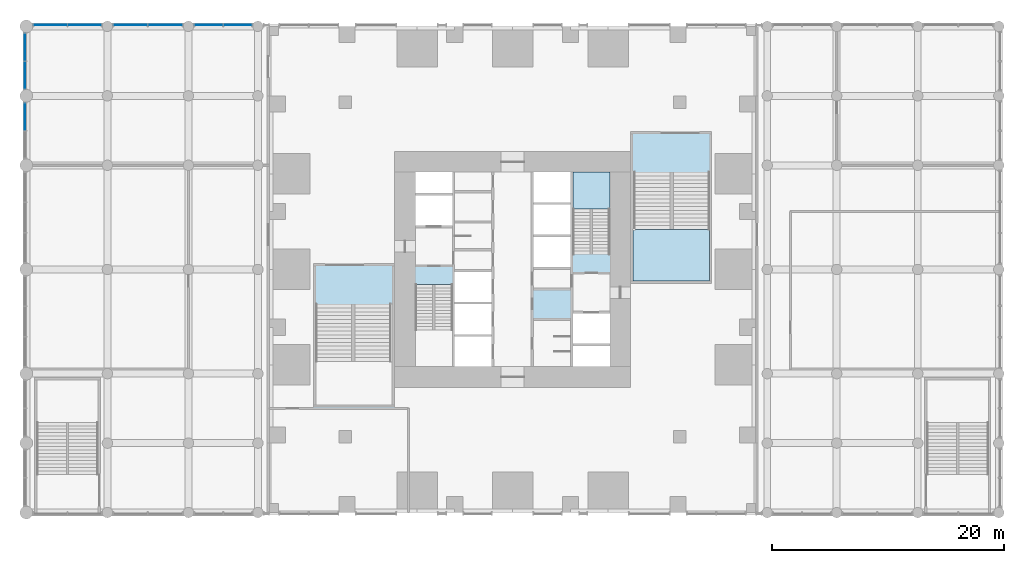
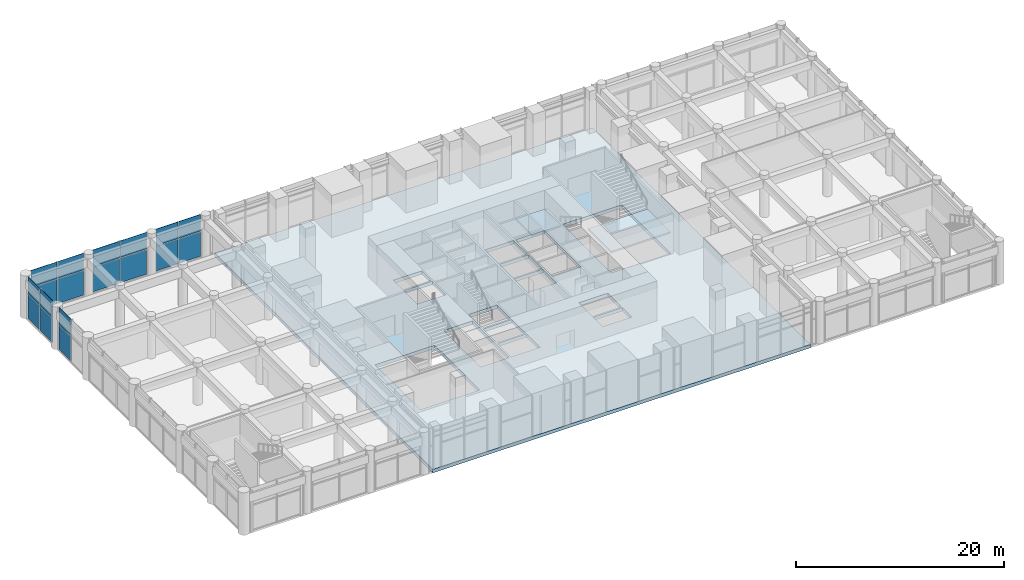
# One storey, part 13 of 23: 18 plates, 3 slabs, 7 elements without a shape of their own.
"""IFC4 building model written with IfcOpenShell, lengths in metres."""

import ifcopenshell
import ifcopenshell.guid

model = None  # the IFC model being written
_history = None  # IfcOwnerHistory: only IFC2X3 demands one
_inside = {}  # id of a spatial element -> (the spatial element, [elements in it])
_under = {}  # id of a project, library or spatial element -> (it, [spatial elements below it])
_declared = {}  # id of a project -> (the project, [libraries it declares])
_typed = {}  # id of a type object -> (the type object, [elements of that type])
_made_of = {}  # id of a material, layer set ... -> (it, [elements and type objects made of it])


def new_model(schema):
    """Start an empty IFC model of exactly this schema.

    Asked for "IFC4X3", IfcOpenShell would pick the latest addendum, in which some entities
    have other attributes; the version numbers below select the first issue.
    IFC2X3 requires an IfcOwnerHistory on every rooted entity: one is made here for all.
    """
    global model, _history
    if schema == "IFC4X3":
        model = ifcopenshell.file(schema_version=(4, 3, 0, 0))
    else:
        model = ifcopenshell.file(schema=schema)
    _inside.clear()
    _under.clear()
    _declared.clear()
    _typed.clear()
    _made_of.clear()
    _history = None
    if model.schema == "IFC2X3":
        org = make("IfcOrganization", Name="unknown")
        user = make(
            "IfcPersonAndOrganization",
            ThePerson=make("IfcPerson", FamilyName="unknown"),
            TheOrganization=org,
        )
        app = make(
            "IfcApplication",
            ApplicationDeveloper=org,
            Version="unknown",
            ApplicationFullName="unknown",
            ApplicationIdentifier="unknown",
        )
        _history = make(
            "IfcOwnerHistory",
            OwningUser=user,
            OwningApplication=app,
            ChangeAction="ADDED",
            CreationDate=0,
        )
    return model


def make(cls, **values):
    """One entity of the class cls with the attributes given. An attribute that is None is left unset."""
    return model.create_entity(
        cls, **{name: value for name, value in values.items() if value is not None}
    )


def rooted(cls, **values):
    """An entity with a GlobalId (a new one), such as an element, a storey or a relation."""
    return make(cls, GlobalId=ifcopenshell.guid.new(), OwnerHistory=_history, **values)


def si_unit(unit_type, name, prefix=None):
    """IfcSIUnit, for example si_unit("LENGTHUNIT", "METRE", prefix="MILLI")."""
    return make("IfcSIUnit", UnitType=unit_type, Prefix=prefix, Name=name)


def assignment(units):
    """IfcUnitAssignment: the units of a project."""
    return None if units is None else make("IfcUnitAssignment", Units=units)


def point(xyz):
    """IfcCartesianPoint."""
    return None if xyz is None else make("IfcCartesianPoint", Coordinates=xyz)


def direction(xyz):
    """IfcDirection."""
    return None if xyz is None else make("IfcDirection", DirectionRatios=xyz)


def frame(location, z_axis=None, x_axis=None):
    """IfcAxis2Placement3D, a coordinate frame: its origin and axes. An axis left out is left unset."""
    return make(
        "IfcAxis2Placement3D",
        Location=point(location),
        Axis=direction(z_axis),
        RefDirection=direction(x_axis),
    )


def frame_2d(location, x_axis=None):
    """IfcAxis2Placement2D, a coordinate frame in the plane: its origin and x axis."""
    return make(
        "IfcAxis2Placement2D", Location=point(location), RefDirection=direction(x_axis)
    )


def origin():
    """The frame at (0, 0, 0) with its axes left unset."""
    return frame((0.0, 0.0, 0.0))


def origin_2d():
    """The frame at (0, 0) in the plane with its x axis left unset."""
    return frame_2d((0.0, 0.0))


def place(relative_to, where):
    """IfcLocalPlacement: puts the frame where relative to a parent placement (None: the world)."""
    return make(
        "IfcLocalPlacement", PlacementRelTo=relative_to, RelativePlacement=where
    )


def context(
    kind, dimensions, precision=None, world=None, true_north=None, identifier=None
):
    """IfcGeometricRepresentationContext, for example the 3D "Model" context."""
    return make(
        "IfcGeometricRepresentationContext",
        ContextIdentifier=identifier,
        ContextType=kind,
        CoordinateSpaceDimension=dimensions,
        Precision=precision,
        WorldCoordinateSystem=world,
        TrueNorth=true_north,
    )


def subcontext(parent, identifier, kind, view, scale=None):
    """IfcGeometricRepresentationSubContext, for example "Body" below "Model"."""
    return make(
        "IfcGeometricRepresentationSubContext",
        ContextIdentifier=identifier,
        ContextType=kind,
        ParentContext=parent,
        TargetScale=scale,
        TargetView=view,
    )


def project(units=None, contexts=None):
    """IfcProject with its units and contexts."""
    return rooted(
        "IfcProject",
        Name="project",
        RepresentationContexts=contexts,
        UnitsInContext=assignment(units),
    )


def spatial(cls, under=None, at=None, **own):
    """A site, building, storey or space (cls), placed at a placement, below another one or the project."""
    s = rooted(cls, ObjectPlacement=at, **own)
    if under is not None:
        _under.setdefault(under.id(), (under, []))[1].append(s)
    return s


def polyline(points):
    """IfcPolyline through the points."""
    return make("IfcPolyline", Points=[point(p) for p in points])


def profile(cls, at=None, kind="AREA", **sizes):
    """A parametric profile (cls). Its sizes go by their IFC names, for example OverallWidth=200.0."""
    return make(cls, ProfileType=kind, Position=at, **sizes)


def rectangle(**sizes):
    """IfcRectangleProfileDef."""
    return profile("IfcRectangleProfileDef", **sizes)


def outline(outer, holes=None, kind="AREA"):
    """IfcArbitraryClosedProfileDef: a profile drawn as a closed curve; with holes, ...WithVoids."""
    if holes is None:
        return make("IfcArbitraryClosedProfileDef", ProfileType=kind, OuterCurve=outer)
    return make(
        "IfcArbitraryProfileDefWithVoids",
        ProfileType=kind,
        OuterCurve=outer,
        InnerCurves=holes,
    )


def extrude(swept, where, along, depth):
    """IfcExtrudedAreaSolid: the profile swept, set in the frame where, extruded along a direction by depth."""
    return make(
        "IfcExtrudedAreaSolid",
        SweptArea=swept,
        Position=where,
        ExtrudedDirection=direction(along),
        Depth=depth,
    )


def shape(context_of_items, identifier, shape_type, items):
    """IfcShapeRepresentation: the items that make up one representation, for example the "Body"."""
    return make(
        "IfcShapeRepresentation",
        ContextOfItems=context_of_items,
        RepresentationIdentifier=identifier,
        RepresentationType=shape_type,
        Items=items,
    )


def material(Name=None, Category=None):
    """IfcMaterial."""
    return make("IfcMaterial", Name=Name, Category=Category)


def layer(
    of_material, thickness, ventilated=None, Name=None, Category=None, Priority=None
):
    """IfcMaterialLayer: one layer of a wall or slab, of a material (None: an air gap)."""
    return make(
        "IfcMaterialLayer",
        Material=of_material,
        LayerThickness=thickness,
        IsVentilated=ventilated,
        Name=Name,
        Category=Category,
        Priority=Priority,
    )


def layer_set(layers, Name=None):
    """IfcMaterialLayerSet."""
    return make("IfcMaterialLayerSet", MaterialLayers=layers, LayerSetName=Name)


def made_of(thing, what):
    """Note that an element or type object is made of a material, layer set ...; save() writes the relation."""
    if what is not None:
        _made_of.setdefault(what.id(), (what, []))[1].append(thing)
    return thing


def type_object(cls, material=None, **own):
    """A type object (cls), such as IfcWallType, which elements share."""
    return made_of(rooted(cls, **own), material)


def element(
    cls,
    number,
    at=None,
    inside=None,
    cuts=None,
    type_object=None,
    material=None,
    context=None,
    identifier="Body",
    shape_type=None,
    held_by="IfcProductDefinitionShape",
    body=None,
    shapes=None,
    **own,
):
    """One element of the class cls, such as IfcWall. Its Tag is "e" and its number.

    at: its placement. inside: the storey or other place that contains it. cuts: it is an
    opening in that element (IfcRelVoidsElement). A single representation is given by context,
    identifier, shape_type and body (its items); several are given by shapes. held_by: the class
    of the entity that holds the representations. save() writes the other relations.
    """
    e = rooted(cls, Tag="e%d" % number, ObjectPlacement=at, **own)
    if body is not None:
        shapes = [shape(context, identifier, shape_type, body)]
    if shapes is not None:
        e.Representation = make(held_by, Representations=shapes)
    if inside is not None:
        _inside.setdefault(inside.id(), (inside, []))[1].append(e)
    if cuts is not None:
        rooted(
            "IfcRelVoidsElement", RelatingBuildingElement=cuts, RelatedOpeningElement=e
        )
    if type_object is not None:
        _typed.setdefault(type_object.id(), (type_object, []))[1].append(e)
    return made_of(e, material)


def aggregate(whole, parts):
    """IfcRelAggregates: a whole, such as a stair, and the parts it consists of."""
    return rooted("IfcRelAggregates", RelatingObject=whole, RelatedObjects=parts)


def save(model, path):
    """Write the relations noted so far, then the file.

    IfcRelAggregates (storeys below a building ...), IfcRelContainedInSpatialStructure (elements
    in a storey), IfcRelDefinesByType, IfcRelAssociatesMaterial and IfcRelDeclares: one each for
    every whole, place, type object, material and project.
    """
    for whole, parts in _under.values():
        aggregate(whole, parts)
    for where, things in _inside.values():
        rooted(
            "IfcRelContainedInSpatialStructure",
            RelatedElements=things,
            RelatingStructure=where,
        )
    for kind, things in _typed.values():
        rooted("IfcRelDefinesByType", RelatedObjects=things, RelatingType=kind)
    for what, things in _made_of.values():
        rooted("IfcRelAssociatesMaterial", RelatedObjects=things, RelatingMaterial=what)
    for by, libraries in _declared.values():
        rooted("IfcRelDeclares", RelatingContext=by, RelatedDefinitions=libraries)
    model.write(path)


model = new_model("IFC4")

# Units and contexts
model_context = context("Model", 3, precision=1e-05, world=origin(), true_north=direction((0.0, 1.0)))
body_context = subcontext(model_context, "Body", "Model", "MODEL_VIEW")
ifc_project = project(units=[si_unit("LENGTHUNIT", "METRE"), si_unit("AREAUNIT", "SQUARE_METRE"), si_unit("VOLUMEUNIT", "CUBIC_METRE"), si_unit("PLANEANGLEUNIT", "RADIAN"), si_unit("MASSUNIT", "GRAM", prefix="KILO")], contexts=[model_context])

# Site, building, storey
site_placement = place(None, origin())
site = spatial("IfcSite", under=ifc_project, at=site_placement, CompositionType="ELEMENT")
building_placement = place(site_placement, origin())
building = spatial("IfcBuilding", under=site, at=building_placement, Name="Svetlomir Tower", CompositionType="ELEMENT")
storey_placement = place(building_placement, frame((0.0, 0.0, 6.0)))
storey = spatial("IfcBuildingStorey", under=building, at=storey_placement, Name="L01", CompositionType="ELEMENT", Elevation=6.0)

# Curtain wall, plates
ifc_material_1 = material(Name="Bronze anodised aluminium curtain wall", Category="aluminium")
curtain_wall_type = type_object("IfcCurtainWallType", Name="CURTAIN WALL CW5 PODIUM", PredefinedType="NOTDEFINED", material=ifc_material_1)
curtain_wall_1_placement = place(storey_placement, origin())
curtain_wall_1 = element("IfcCurtainWall", 1, at=curtain_wall_1_placement, inside=storey, type_object=curtain_wall_type, Name="Curtain wall CW5 L01", PredefinedType="NOTDEFINED")
ifc_material_2 = material(Name="Tinted double glazed unit", Category="glass")
ifc_layer_1 = layer(ifc_material_2, 0.0400390625)
ifc_layer_set_1 = layer_set([ifc_layer_1], Name="Tinted double glazed unit")
plate_type = type_object("IfcPlateType", Name="CW5 GLAZED PANEL 40", PredefinedType="CURTAIN_PANEL", material=ifc_layer_set_1)
plate_1_placement = place(storey_placement, frame((-2.7451171875, 42.10009765625, 0.080078125), z_axis=(0.0, 0.0, 1.0), x_axis=(-1.0, 0.0, 0.0)))
plate_1 = element("IfcPlate", 2, at=plate_1_placement, type_object=plate_type, Name="CW5 panel 1.1", PredefinedType="CURTAIN_PANEL", context=body_context, shape_type="SweptSolid", body=[
    extrude(rectangle(XDim=2.429931640625, YDim=0.0400390625, at=origin_2d()), origin(), (0.0, 0.0, 1.0), 2.8798828125),
])
plate_2_placement = place(storey_placement, frame((-2.7451171875, 42.10009765625, 3.0400390625), z_axis=(0.0, 0.0, 1.0), x_axis=(-1.0, 0.0, 0.0)))
plate_2 = element("IfcPlate", 3, at=plate_2_placement, type_object=plate_type, Name="CW5 panel 1.2", PredefinedType="CURTAIN_PANEL", context=body_context, shape_type="SweptSolid", body=[
    extrude(rectangle(XDim=2.429931640625, YDim=0.0400390625, at=origin_2d()), origin(), (0.0, 0.0, 1.0), 1.9599609375),
])
plate_3_placement = place(storey_placement, frame((-5.2548828125, 42.10009765625, 0.080078125), z_axis=(0.0, 0.0, 1.0), x_axis=(-1.0, 0.0, 0.0)))
plate_3 = element("IfcPlate", 4, at=plate_3_placement, type_object=plate_type, Name="CW5 panel 2.1", PredefinedType="CURTAIN_PANEL", context=body_context, shape_type="SweptSolid", body=[
    extrude(rectangle(XDim=2.429931640625, YDim=0.0400390625, at=origin_2d()), origin(), (0.0, 0.0, 1.0), 2.8798828125),
])
plate_4_placement = place(storey_placement, frame((-5.2548828125, 42.10009765625, 3.0400390625), z_axis=(0.0, 0.0, 1.0), x_axis=(-1.0, 0.0, 0.0)))
plate_4 = element("IfcPlate", 5, at=plate_4_placement, type_object=plate_type, Name="CW5 panel 2.2", PredefinedType="CURTAIN_PANEL", context=body_context, shape_type="SweptSolid", body=[
    extrude(rectangle(XDim=2.429931640625, YDim=0.0400390625, at=origin_2d()), origin(), (0.0, 0.0, 1.0), 1.9599609375),
])
aggregate(curtain_wall_1, [plate_1, plate_2, plate_3, plate_4])

curtain_wall_2_placement = place(storey_placement, origin())
curtain_wall_2 = element("IfcCurtainWall", 6, at=curtain_wall_2_placement, inside=storey, type_object=curtain_wall_type, Name="Curtain wall CW5 L01", PredefinedType="NOTDEFINED")
plate_5_placement = place(storey_placement, frame((-8.9951171875, 42.10009765625, 0.080078125), z_axis=(0.0, 0.0, 1.0), x_axis=(-1.0, 0.0, 0.0)))
plate_5 = element("IfcPlate", 7, at=plate_5_placement, type_object=plate_type, Name="CW5 panel 1.1", PredefinedType="CURTAIN_PANEL", context=body_context, shape_type="SweptSolid", body=[
    extrude(rectangle(XDim=2.929931640625, YDim=0.0400390625, at=origin_2d()), origin(), (0.0, 0.0, 1.0), 2.8798828125),
])
plate_6_placement = place(storey_placement, frame((-8.9951171875, 42.10009765625, 3.0400390625), z_axis=(0.0, 0.0, 1.0), x_axis=(-1.0, 0.0, 0.0)))
plate_6 = element("IfcPlate", 8, at=plate_6_placement, type_object=plate_type, Name="CW5 panel 1.2", PredefinedType="CURTAIN_PANEL", context=body_context, shape_type="SweptSolid", body=[
    extrude(rectangle(XDim=2.929931640625, YDim=0.0400390625, at=origin_2d()), origin(), (0.0, 0.0, 1.0), 1.9599609375),
])
plate_7_placement = place(storey_placement, frame((-12.0048828125, 42.10009765625, 0.080078125), z_axis=(0.0, 0.0, 1.0), x_axis=(-1.0, 0.0, 0.0)))
plate_7 = element("IfcPlate", 9, at=plate_7_placement, type_object=plate_type, Name="CW5 panel 2.1", PredefinedType="CURTAIN_PANEL", context=body_context, shape_type="SweptSolid", body=[
    extrude(rectangle(XDim=2.929931640625, YDim=0.0400390625, at=origin_2d()), origin(), (0.0, 0.0, 1.0), 2.8798828125),
])
plate_8_placement = place(storey_placement, frame((-12.0048828125, 42.10009765625, 3.0400390625), z_axis=(0.0, 0.0, 1.0), x_axis=(-1.0, 0.0, 0.0)))
plate_8 = element("IfcPlate", 10, at=plate_8_placement, type_object=plate_type, Name="CW5 panel 2.2", PredefinedType="CURTAIN_PANEL", context=body_context, shape_type="SweptSolid", body=[
    extrude(rectangle(XDim=2.929931640625, YDim=0.0400390625, at=origin_2d()), origin(), (0.0, 0.0, 1.0), 1.9599609375),
])
aggregate(curtain_wall_2, [plate_5, plate_6, plate_7, plate_8])

curtain_wall_3_placement = place(storey_placement, origin())
curtain_wall_3 = element("IfcCurtainWall", 11, at=curtain_wall_3_placement, inside=storey, type_object=curtain_wall_type, Name="Curtain wall CW5 L01", PredefinedType="NOTDEFINED")
plate_9_placement = place(storey_placement, frame((-15.969970703125, 42.10009765625, 0.080078125), z_axis=(0.0, 0.0, 1.0), x_axis=(-1.0, 0.0, 0.0)))
plate_9 = element("IfcPlate", 12, at=plate_9_placement, type_object=plate_type, Name="CW5 panel 1.1", PredefinedType="CURTAIN_PANEL", context=body_context, shape_type="SweptSolid", body=[
    extrude(rectangle(XDim=2.8798828125, YDim=0.0400390625, at=origin_2d()), origin(), (0.0, 0.0, 1.0), 2.8798828125),
])
plate_10_placement = place(storey_placement, frame((-15.969970703125, 42.10009765625, 3.0400390625), z_axis=(0.0, 0.0, 1.0), x_axis=(-1.0, 0.0, 0.0)))
plate_10 = element("IfcPlate", 13, at=plate_10_placement, type_object=plate_type, Name="CW5 panel 1.2", PredefinedType="CURTAIN_PANEL", context=body_context, shape_type="SweptSolid", body=[
    extrude(rectangle(XDim=2.8798828125, YDim=0.0400390625, at=origin_2d()), origin(), (0.0, 0.0, 1.0), 1.9599609375),
])
plate_11_placement = place(storey_placement, frame((-18.929931640625, 42.10009765625, 0.080078125), z_axis=(0.0, 0.0, 1.0), x_axis=(-1.0, 0.0, 0.0)))
plate_11 = element("IfcPlate", 14, at=plate_11_placement, type_object=plate_type, Name="CW5 panel 2.1", PredefinedType="CURTAIN_PANEL", context=body_context, shape_type="SweptSolid", body=[
    extrude(rectangle(XDim=2.8798828125, YDim=0.0400390625, at=origin_2d()), origin(), (0.0, 0.0, 1.0), 2.8798828125),
])
plate_12_placement = place(storey_placement, frame((-18.929931640625, 42.10009765625, 3.0400390625), z_axis=(0.0, 0.0, 1.0), x_axis=(-1.0, 0.0, 0.0)))
plate_12 = element("IfcPlate", 15, at=plate_12_placement, type_object=plate_type, Name="CW5 panel 2.2", PredefinedType="CURTAIN_PANEL", context=body_context, shape_type="SweptSolid", body=[
    extrude(rectangle(XDim=2.8798828125, YDim=0.0400390625, at=origin_2d()), origin(), (0.0, 0.0, 1.0), 1.9599609375),
])
aggregate(curtain_wall_3, [plate_9, plate_10, plate_11, plate_12])

curtain_wall_4_placement = place(storey_placement, origin())
curtain_wall_4 = element("IfcCurtainWall", 16, at=curtain_wall_4_placement, inside=storey, type_object=curtain_wall_type, Name="Curtain wall CW5 L01", PredefinedType="NOTDEFINED")
plate_13_placement = place(storey_placement, frame((-21.10009765625, 40.205078125, 0.080078125), z_axis=(0.0, 0.0, 1.0), x_axis=(0.0, -1.0, 0.0)))
plate_13 = element("IfcPlate", 17, at=plate_13_placement, type_object=plate_type, Name="CW5 panel 1.1", PredefinedType="CURTAIN_PANEL", context=body_context, shape_type="SweptSolid", body=[
    extrude(rectangle(XDim=2.330078125, YDim=0.0400390625, at=origin_2d()), origin(), (0.0, 0.0, 1.0), 2.8798828125),
])
plate_14_placement = place(storey_placement, frame((-21.10009765625, 40.205078125, 3.0400390625), z_axis=(0.0, 0.0, 1.0), x_axis=(0.0, -1.0, 0.0)))
plate_14 = element("IfcPlate", 18, at=plate_14_placement, type_object=plate_type, Name="CW5 panel 1.2", PredefinedType="CURTAIN_PANEL", context=body_context, shape_type="SweptSolid", body=[
    extrude(rectangle(XDim=2.330078125, YDim=0.0400390625, at=origin_2d()), origin(), (0.0, 0.0, 1.0), 1.9599609375),
])
plate_15_placement = place(storey_placement, frame((-21.10009765625, 37.794921875, 0.080078125), z_axis=(0.0, 0.0, 1.0), x_axis=(0.0, -1.0, 0.0)))
plate_15 = element("IfcPlate", 19, at=plate_15_placement, type_object=plate_type, Name="CW5 panel 2.1", PredefinedType="CURTAIN_PANEL", context=body_context, shape_type="SweptSolid", body=[
    extrude(rectangle(XDim=2.330078125, YDim=0.0400390625, at=origin_2d()), origin(), (0.0, 0.0, 1.0), 2.8798828125),
])
plate_16_placement = place(storey_placement, frame((-21.10009765625, 37.794921875, 3.0400390625), z_axis=(0.0, 0.0, 1.0), x_axis=(0.0, -1.0, 0.0)))
plate_16 = element("IfcPlate", 20, at=plate_16_placement, type_object=plate_type, Name="CW5 panel 2.2", PredefinedType="CURTAIN_PANEL", context=body_context, shape_type="SweptSolid", body=[
    extrude(rectangle(XDim=2.330078125, YDim=0.0400390625, at=origin_2d()), origin(), (0.0, 0.0, 1.0), 1.9599609375),
])
aggregate(curtain_wall_4, [plate_13, plate_14, plate_15, plate_16])

curtain_wall_5_placement = place(storey_placement, origin())
curtain_wall_5 = element("IfcCurtainWall", 21, at=curtain_wall_5_placement, inside=storey, type_object=curtain_wall_type, Name="Curtain wall CW5 L01", PredefinedType="NOTDEFINED")
plate_17_placement = place(storey_placement, frame((-21.10009765625, 34.205078125, 0.080078125), z_axis=(0.0, 0.0, 1.0), x_axis=(0.0, -1.0, 0.0)))
plate_17 = element("IfcPlate", 22, at=plate_17_placement, type_object=plate_type, Name="CW5 panel 1.1", PredefinedType="CURTAIN_PANEL", context=body_context, shape_type="SweptSolid", body=[
    extrude(rectangle(XDim=2.330078125, YDim=0.0400390625, at=origin_2d()), origin(), (0.0, 0.0, 1.0), 2.8798828125),
])
plate_18_placement = place(storey_placement, frame((-21.10009765625, 34.205078125, 3.0400390625), z_axis=(0.0, 0.0, 1.0), x_axis=(0.0, -1.0, 0.0)))
plate_18 = element("IfcPlate", 23, at=plate_18_placement, type_object=plate_type, Name="CW5 panel 1.2", PredefinedType="CURTAIN_PANEL", context=body_context, shape_type="SweptSolid", body=[
    extrude(rectangle(XDim=2.330078125, YDim=0.0400390625, at=origin_2d()), origin(), (0.0, 0.0, 1.0), 1.9599609375),
])
aggregate(curtain_wall_5, [plate_17, plate_18])

# Slab
ifc_material_3 = material(Name="Concrete C60/75", Category="concrete")
ifc_layer_2 = layer(ifc_material_3, 0.39990234375)
ifc_layer_set_2 = layer_set([ifc_layer_2], Name="Concrete C60/75")
slab_type_1 = type_object("IfcSlabType", Name="FLOOR SLAB 400", PredefinedType="FLOOR", material=ifc_layer_set_2)
slab_1_placement = place(storey_placement, frame((0.0, 0.0, -0.39990234375)))
element("IfcSlab", 24, at=slab_1_placement, inside=storey, type_object=slab_type_1, Name="L01 floor slab", PredefinedType="FLOOR", context=body_context, shape_type="SweptSolid", body=[
    extrude(outline(polyline([(0.0, 0.0), (42.0, 0.0), (42.0, 42.0), (0.0, 42.0), (0.0, 0.0)]), holes=[polyline([(12.60009765625, 24.800048828125), (15.800048828125, 24.800048828125), (15.800048828125, 27.39990234375), (12.60009765625, 27.39990234375), (12.60009765625, 24.800048828125)]), polyline([(26.199951171875, 14.60009765625), (29.39990234375, 14.60009765625), (29.39990234375, 17.199951171875), (26.199951171875, 17.199951171875), (26.199951171875, 14.60009765625)]), polyline([(16.0, 12.60009765625), (19.199951171875, 12.60009765625), (19.199951171875, 15.199951171875), (16.0, 15.199951171875), (16.0, 12.60009765625)]), polyline([(16.0, 15.39990234375), (19.199951171875, 15.39990234375), (19.199951171875, 18.0), (16.0, 18.0), (16.0, 15.39990234375)]), polyline([(16.0, 18.199951171875), (19.199951171875, 18.199951171875), (19.199951171875, 20.800048828125), (16.0, 20.800048828125), (16.0, 18.199951171875)]), polyline([(22.800048828125, 21.199951171875), (26.0, 21.199951171875), (26.0, 23.800048828125), (22.800048828125, 23.800048828125), (22.800048828125, 21.199951171875)]), polyline([(22.800048828125, 24.0), (26.0, 24.0), (26.0, 26.60009765625), (22.800048828125, 26.60009765625), (22.800048828125, 24.0)]), polyline([(22.800048828125, 26.800048828125), (26.0, 26.800048828125), (26.0, 29.39990234375), (22.800048828125, 29.39990234375), (22.800048828125, 26.800048828125)]), polyline([(12.60009765625, 27.60009765625), (15.800048828125, 27.60009765625), (15.800048828125, 29.39990234375), (12.60009765625, 29.39990234375), (12.60009765625, 27.60009765625)]), polyline([(26.199951171875, 12.60009765625), (29.39990234375, 12.60009765625), (29.39990234375, 14.39990234375), (26.199951171875, 14.39990234375), (26.199951171875, 12.60009765625)]), polyline([(12.60009765625, 12.60009765625), (15.800048828125, 12.60009765625), (15.800048828125, 19.679931640625), (12.60009765625, 19.679931640625), (12.60009765625, 12.60009765625)]), polyline([(26.199951171875, 22.320068359375), (29.39990234375, 22.320068359375), (29.39990234375, 29.39990234375), (26.199951171875, 29.39990234375), (26.199951171875, 22.320068359375)]), polyline([(4.0, 9.300048828125), (10.60009765625, 9.300048828125), (10.60009765625, 17.97998046875), (4.0, 17.97998046875), (4.0, 9.300048828125)]), polyline([(31.39990234375, 20.0), (38.0, 20.0), (38.0, 29.3798828125), (31.39990234375, 29.3798828125), (31.39990234375, 20.0)])]), origin(), (0.0, 0.0, 1.0), 0.39990234375),
])

# Stair, slab
ifc_material_4 = material(Name="Concrete C60/75", Category="concrete")
stair_type_1 = type_object("IfcStairType", Name="EXIT STAIR 3200 RISE 5000", PredefinedType="HALF_TURN_STAIR", material=ifc_material_4)
stair_1_placement = place(storey_placement, origin())
stair_1 = element("IfcStair", 25, at=stair_1_placement, inside=storey, type_object=stair_type_1, Name="Stair S2 L01 to L02", PredefinedType="HALF_TURN_STAIR")
ifc_material_5 = material(Name="Concrete C60/75", Category="concrete")
ifc_layer_3 = layer(ifc_material_5, 0.199951171875)
ifc_layer_set_3 = layer_set([ifc_layer_3], Name="Concrete C60/75")
slab_type_2 = type_object("IfcSlabType", Name="STAIR LANDING 200", PredefinedType="LANDING", material=ifc_layer_set_3)
slab_2_placement = place(storey_placement, frame((0.0, 0.0, 2.300048828125)))
slab_2 = element("IfcSlab", 26, at=slab_2_placement, type_object=slab_type_2, Name="S2 landing 1", PredefinedType="LANDING", context=body_context, shape_type="SweptSolid", body=[
    extrude(outline(polyline([(26.199951171875, 26.219970703125), (29.39990234375, 26.219970703125), (29.39990234375, 29.39990234375), (26.199951171875, 29.39990234375), (26.199951171875, 26.219970703125)])), origin(), (0.0, 0.0, 1.0), 0.199951171875),
])
aggregate(stair_1, [slab_2])

ifc_material_6 = material(Name="Concrete C60/75", Category="concrete")
stair_type_2 = type_object("IfcStairType", Name="EXIT STAIR 6600 RISE 5000", PredefinedType="HALF_TURN_STAIR", material=ifc_material_6)
stair_2_placement = place(storey_placement, origin())
stair_2 = element("IfcStair", 27, at=stair_2_placement, inside=storey, type_object=stair_type_2, Name="Stair P2 L01 to L02", PredefinedType="HALF_TURN_STAIR")
slab_3_placement = place(storey_placement, frame((0.0, 0.0, 2.300048828125)))
slab_3 = element("IfcSlab", 28, at=slab_3_placement, type_object=slab_type_2, Name="P2 landing 1", PredefinedType="LANDING", context=body_context, shape_type="SweptSolid", body=[
    extrude(outline(polyline([(31.39990234375, 20.0), (38.0, 20.0), (38.0, 24.449951171875), (31.39990234375, 24.449951171875), (31.39990234375, 20.0)])), origin(), (0.0, 0.0, 1.0), 0.199951171875),
])
aggregate(stair_2, [slab_3])

save(model, "model.ifc")
